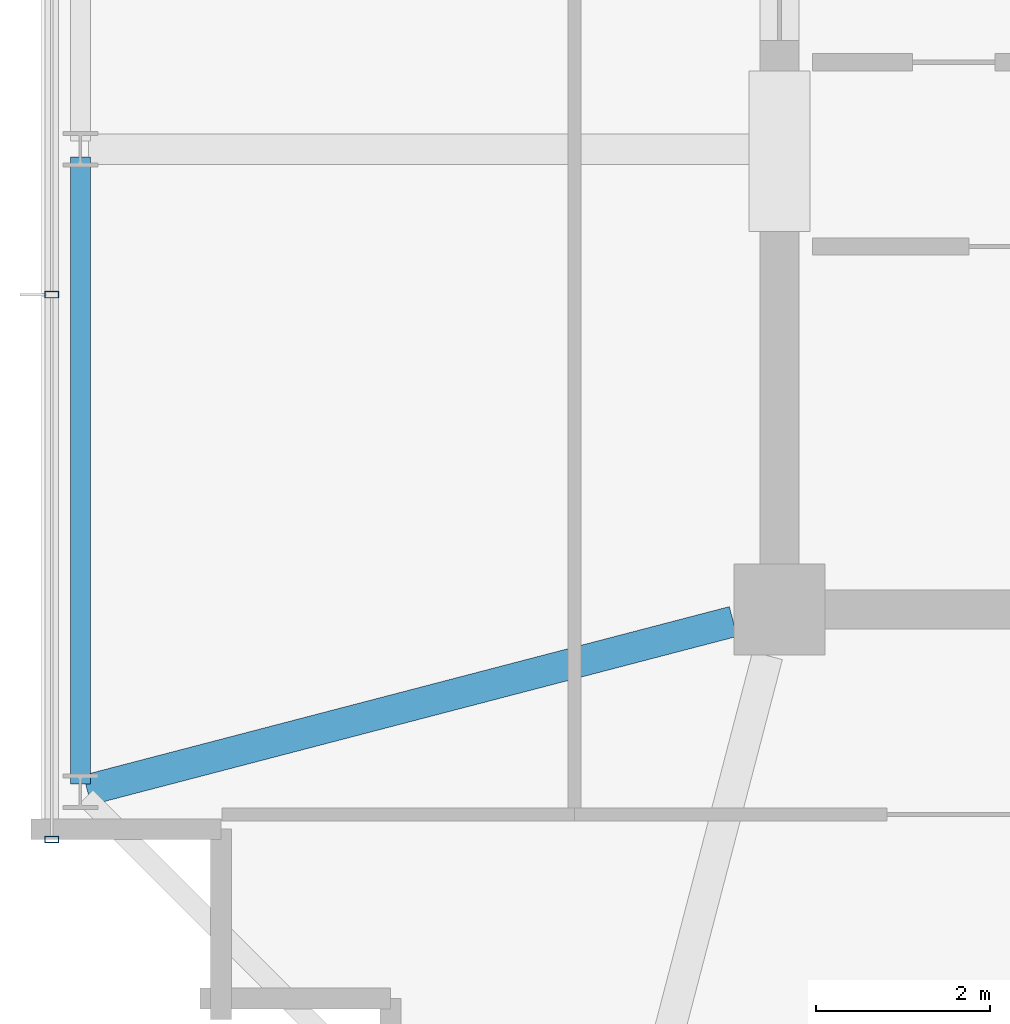
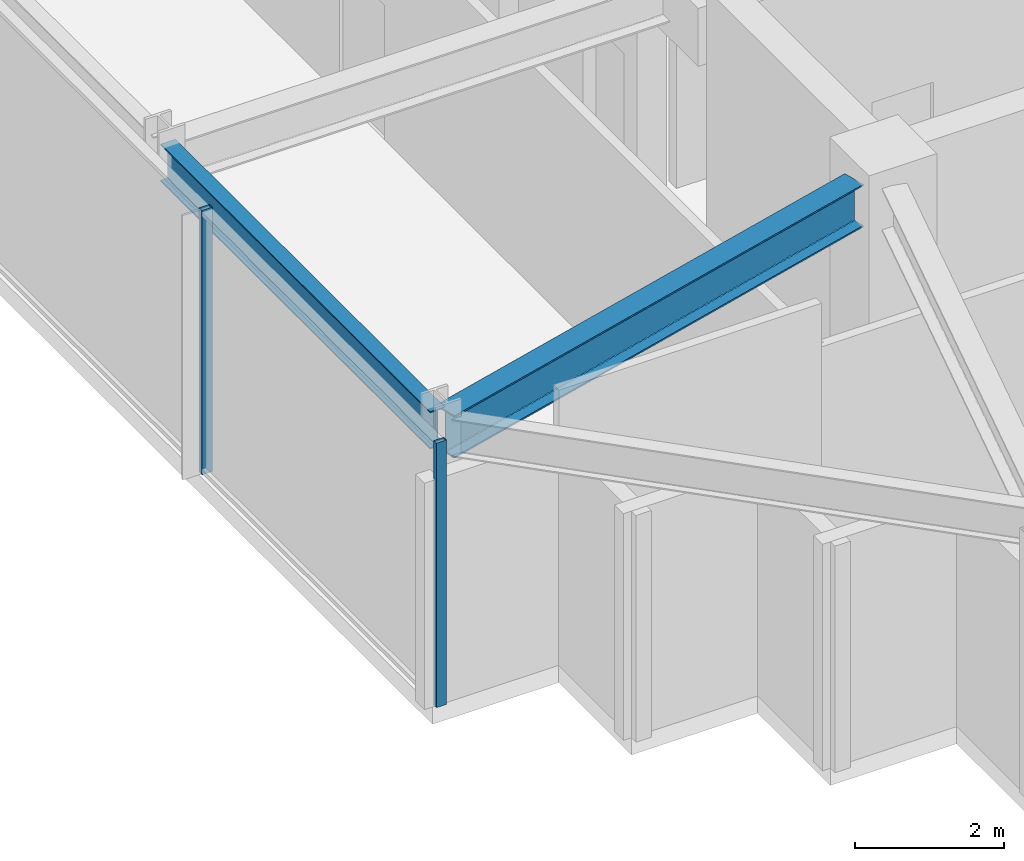
# One storey, part 4 of 30: 2 beams, 2 members, 1 element without a shape of its own.
"""IFC4 building model written with IfcOpenShell, lengths in metres."""

from ifc_helpers import new_model, si_unit, direction, frame, origin, origin_2d, place, context, subcontext, project, spatial, hollow_rectangle, i_section, extrude, material, material_profile, profile_set, type_object, element, aggregate, save


model = new_model("IFC4")

# Units and contexts
model_context = context("Model", 3, precision=1e-05, world=origin(), true_north=direction((0.0, 1.0)))
body_context = subcontext(model_context, "Body", "Model", "MODEL_VIEW")
ifc_project = project(units=[si_unit("LENGTHUNIT", "METRE"), si_unit("AREAUNIT", "SQUARE_METRE"), si_unit("VOLUMEUNIT", "CUBIC_METRE"), si_unit("PLANEANGLEUNIT", "RADIAN"), si_unit("MASSUNIT", "GRAM", prefix="KILO")], contexts=[model_context])

# Site, building, storey
site_placement = place(None, origin())
site = spatial("IfcSite", under=ifc_project, at=site_placement, CompositionType="ELEMENT")
building_placement = place(site_placement, origin())
building = spatial("IfcBuilding", under=site, at=building_placement, Name="Kolvaren Belvedere", CompositionType="ELEMENT")
storey_placement = place(building_placement, frame((0.0, 0.0, 262.800048828125)))
storey = spatial("IfcBuildingStorey", under=building, at=storey_placement, Name="L76", CompositionType="ELEMENT", Elevation=262.800048828125)

# Beams
ifc_material_1 = material(Name="Structural steel ASTM A992 Grade 50", Category="steel")
ifc_material_profile_1 = material_profile(ifc_material_1, i_section(OverallWidth=0.35498046875, OverallDepth=0.696044921875, WebThickness=0.015380859375, FlangeThickness=0.02490234375, FilletRadius=0.02197265625, at=origin_2d()), Name="W27X146")
ifc_profile_set_1 = profile_set([ifc_material_profile_1], Name="Structural steel ASTM A992 Grade 50")
beam_type_1 = type_object("IfcBeamType", Name="BM-GIRD-W27X146", PredefinedType="BEAM", material=ifc_profile_set_1)
beam_1_placement = place(storey_placement, frame((-10.43212890625, -10.038818359375, 3.971923828125), z_axis=(-0.967614911708, -0.252430946281, 0.0), x_axis=(0.252430946281, -0.967614911708, 0.0)))
element("IfcBeam", 1, at=beam_1_placement, inside=storey, type_object=beam_type_1, Name="L76 Corner Core-to-Perimeter Girder CC1-W1", PredefinedType="BEAM", context=body_context, shape_type="SweptSolid", body=[
    extrude(i_section(OverallWidth=0.35498046875, OverallDepth=0.696044921875, WebThickness=0.015380859375, FlangeThickness=0.02490234375, FilletRadius=0.02197265625, at=origin_2d()), origin(), (0.0, 0.0, 1.0), 7.68798828125),
])
ifc_material_2 = material(Name="Structural steel ASTM A992 Grade 50", Category="steel")
ifc_material_profile_2 = material_profile(ifc_material_2, i_section(OverallWidth=0.22900390625, OverallDepth=0.612060546875, WebThickness=0.011962890625, FlangeThickness=0.01953125, FilletRadius=0.01806640625, at=origin_2d()), Name="W24X84")
ifc_profile_set_2 = profile_set([ifc_material_profile_2], Name="Structural steel ASTM A992 Grade 50")
beam_type_2 = type_object("IfcBeamType", Name="BM-SPAN-W24X84", PredefinedType="SPANDREL", material=ifc_profile_set_2)
beam_2_placement = place(storey_placement, frame((-17.949951171875, -4.691650390625, 4.013916015625), z_axis=(0.0, -1.0, 0.0), x_axis=(1.0, 0.0, 0.0)))
element("IfcBeam", 2, at=beam_2_placement, inside=storey, type_object=beam_type_2, Name="L76 Perimeter Spandrel W2-W1", PredefinedType="SPANDREL", context=body_context, shape_type="SweptSolid", body=[
    extrude(i_section(OverallWidth=0.22900390625, OverallDepth=0.612060546875, WebThickness=0.011962890625, FlangeThickness=0.01953125, FilletRadius=0.01806640625, at=origin_2d()), origin(), (0.0, 0.0, 1.0), 7.216796875),
])

# Curtain wall, members
ifc_material_3 = material(Name="Anodised pale-metal aluminium AA 6063-T6", Category="aluminium")
curtain_wall_type = type_object("IfcCurtainWallType", Name="CW-CRN-OBS", PredefinedType="NOTDEFINED", material=ifc_material_3)
curtain_wall_placement = place(storey_placement, origin())
curtain_wall = element("IfcCurtainWall", 3, at=curtain_wall_placement, inside=storey, type_object=curtain_wall_type, Name="L76 Unitised Curtain Wall FCW-L76-W", PredefinedType="NOTDEFINED")
ifc_material_4 = material(Name="Anodised pale-metal aluminium AA 6063-T6", Category="aluminium")
ifc_material_profile_3 = material_profile(ifc_material_4, hollow_rectangle(XDim=0.074951171875, YDim=0.159912109375, WallThickness=0.00439453125, at=origin_2d()), Name="ALU-MUL-160X75")
ifc_profile_set_3 = profile_set([ifc_material_profile_3], Name="Anodised pale-metal aluminium AA 6063-T6")
member_type = type_object("IfcMemberType", Name="CW-MUL-160", PredefinedType="MULLION", material=ifc_profile_set_3)
member_1_placement = place(storey_placement, frame((-18.280029296875, -12.550048828125, 0.0), z_axis=(0.0, 0.0, 1.0), x_axis=(0.0, 1.0, 0.0)))
member_1 = element("IfcMember", 4, at=member_1_placement, type_object=member_type, Name="FCW-L76-W Unitised Mullion 1", PredefinedType="MULLION", context=body_context, shape_type="SweptSolid", body=[
    extrude(hollow_rectangle(XDim=0.074951171875, YDim=0.159912109375, WallThickness=0.00439453125, at=origin_2d()), origin(), (0.0, 0.0, 1.0), 4.320068359375),
])
member_2_placement = place(storey_placement, frame((-18.280029296875, -6.27490234375, 0.0), z_axis=(0.0, 0.0, 1.0), x_axis=(0.0, 1.0, 0.0)))
member_2 = element("IfcMember", 5, at=member_2_placement, type_object=member_type, Name="FCW-L76-W Unitised Mullion 2", PredefinedType="MULLION", context=body_context, shape_type="SweptSolid", body=[
    extrude(hollow_rectangle(XDim=0.074951171875, YDim=0.159912109375, WallThickness=0.00439453125, at=origin_2d()), origin(), (0.0, 0.0, 1.0), 4.320068359375),
])
aggregate(curtain_wall, [member_1, member_2])

save(model, "model.ifc")
